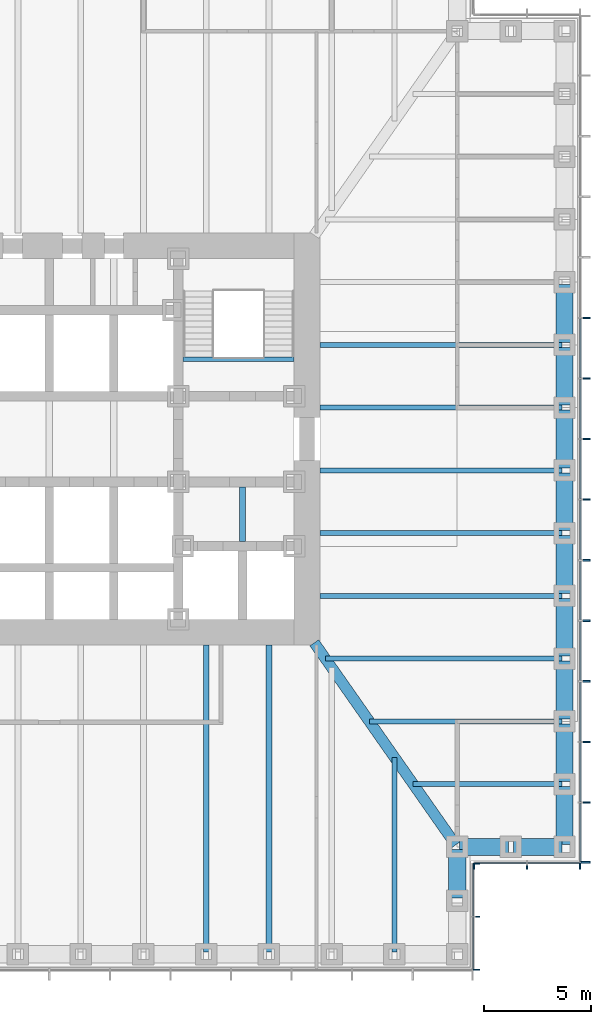
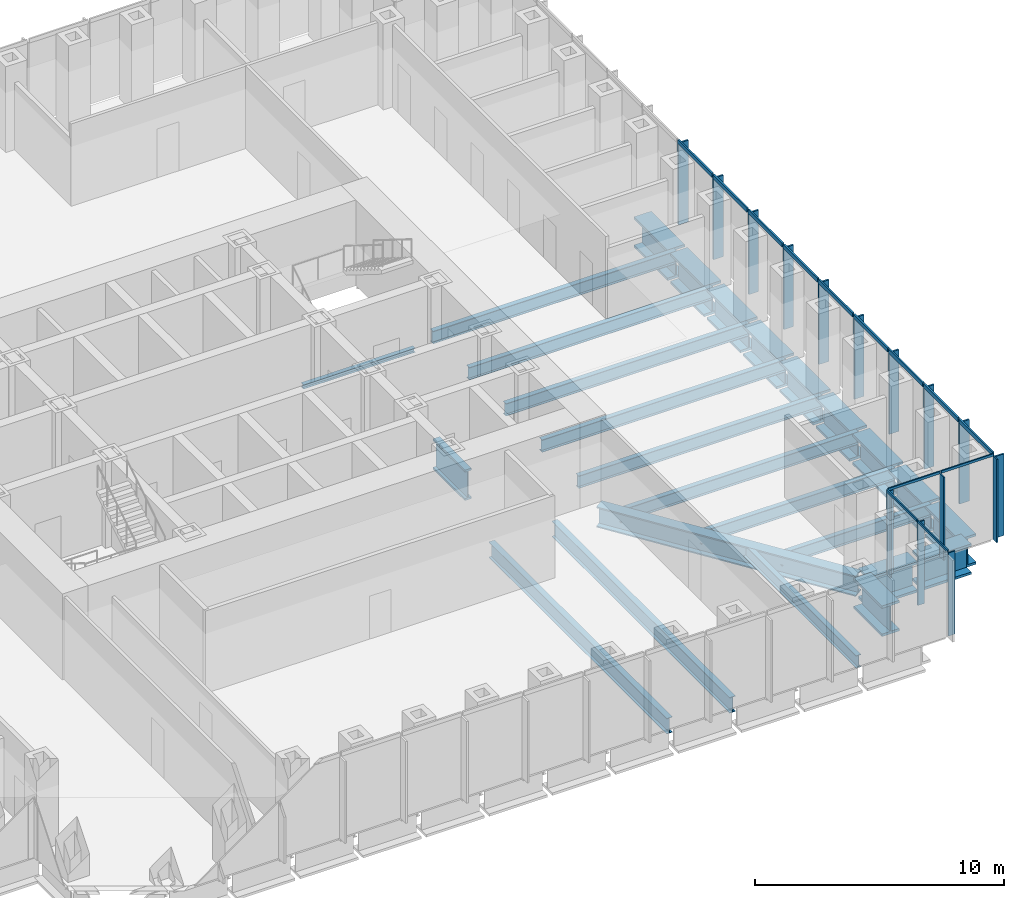
# One storey, part 4 of 16: 29 members, 26 beams, 3 elements without a shape of their own.
"""IFC4 building model written with IfcOpenShell, lengths in metres."""

from ifc_helpers import new_model, si_unit, direction, frame, origin, origin_2d, place, context, subcontext, project, spatial, rectangle, i_section, extrude, material, material_profile, profile_set, type_object, element, aggregate, save


model = new_model("IFC4")

# Units and contexts
model_context = context("Model", 3, precision=1e-05, world=origin(), true_north=direction((0.0, 1.0)))
body_context = subcontext(model_context, "Body", "Model", "MODEL_VIEW")
ifc_project = project(units=[si_unit("LENGTHUNIT", "METRE"), si_unit("AREAUNIT", "SQUARE_METRE"), si_unit("VOLUMEUNIT", "CUBIC_METRE"), si_unit("PLANEANGLEUNIT", "RADIAN"), si_unit("MASSUNIT", "GRAM", prefix="KILO")], contexts=[model_context])

# Site, building, storey
site_placement = place(None, origin())
site = spatial("IfcSite", under=ifc_project, at=site_placement, CompositionType="ELEMENT")
building_placement = place(site_placement, origin())
building = spatial("IfcBuilding", under=site, at=building_placement, Name="Daluyong Arena Tower", CompositionType="ELEMENT")
storey_placement = place(building_placement, frame((0.0, 0.0, 51.699951171875)))
storey = spatial("IfcBuildingStorey", under=building, at=storey_placement, Name="L10", CompositionType="ELEMENT", Elevation=51.699951171875)

# Curtain wall, members
ifc_material_1 = material(Name="Bronze anodised aluminium and glass", Category="aluminium")
curtain_wall_type_1 = type_object("IfcCurtainWallType", Name="Curtain wall CW1", PredefinedType="USERDEFINED", material=ifc_material_1)
curtain_wall_1_placement = place(storey_placement, origin())
curtain_wall_1 = element("IfcCurtainWall", 1, at=curtain_wall_1_placement, inside=storey, type_object=curtain_wall_type_1, Name="curtain wall L10 E", ObjectType="UNITISED CURTAIN WALL", PredefinedType="USERDEFINED")
ifc_material_2 = material(Name="Bronze anodised aluminium fin", Category="aluminium")
ifc_material_profile_1 = material_profile(ifc_material_2, rectangle(XDim=0.449951171875, YDim=0.080078125, at=origin_2d()))
ifc_profile_set_1 = profile_set([ifc_material_profile_1], Name="Bronze anodised aluminium fin")
member_type_1 = type_object("IfcMemberType", Name="CW1 bronze fin 450x80", PredefinedType="MULLION", material=ifc_profile_set_1)
member_1_placement = place(storey_placement, frame((80.97509765625, 60.2900390625, 0.0), z_axis=(0.0, 0.0, 1.0), x_axis=(-1.0, 0.0, 0.0)))
member_1 = element("IfcMember", 2, at=member_1_placement, type_object=member_type_1, Name="curtain wall L10 E fin 1", PredefinedType="MULLION", context=body_context, shape_type="SweptSolid", body=[
    extrude(rectangle(XDim=0.449951171875, YDim=0.080078125, at=origin_2d()), origin(), (0.0, 0.0, 1.0), 4.0),
])
member_2_placement = place(storey_placement, frame((80.97509765625, 63.071533203125, 0.0), z_axis=(0.0, 0.0, 1.0), x_axis=(-1.0, 0.0, 0.0)))
member_2 = element("IfcMember", 3, at=member_2_placement, type_object=member_type_1, Name="curtain wall L10 E fin 2", PredefinedType="MULLION", context=body_context, shape_type="SweptSolid", body=[
    extrude(rectangle(XDim=0.449951171875, YDim=0.080078125, at=origin_2d()), origin(), (0.0, 0.0, 1.0), 4.0),
])
member_3_placement = place(storey_placement, frame((80.97509765625, 65.892822265625, 0.0), z_axis=(0.0, 0.0, 1.0), x_axis=(-1.0, 0.0, 0.0)))
member_3 = element("IfcMember", 4, at=member_3_placement, type_object=member_type_1, Name="curtain wall L10 E fin 3", PredefinedType="MULLION", context=body_context, shape_type="SweptSolid", body=[
    extrude(rectangle(XDim=0.449951171875, YDim=0.080078125, at=origin_2d()), origin(), (0.0, 0.0, 1.0), 4.0),
])
member_4_placement = place(storey_placement, frame((80.97509765625, 68.71435546875, 0.0), z_axis=(0.0, 0.0, 1.0), x_axis=(-1.0, 0.0, 0.0)))
member_4 = element("IfcMember", 5, at=member_4_placement, type_object=member_type_1, Name="curtain wall L10 E fin 4", PredefinedType="MULLION", context=body_context, shape_type="SweptSolid", body=[
    extrude(rectangle(XDim=0.449951171875, YDim=0.080078125, at=origin_2d()), origin(), (0.0, 0.0, 1.0), 4.0),
])
member_5_placement = place(storey_placement, frame((80.97509765625, 71.53564453125, 0.0), z_axis=(0.0, 0.0, 1.0), x_axis=(-1.0, 0.0, 0.0)))
member_5 = element("IfcMember", 6, at=member_5_placement, type_object=member_type_1, Name="curtain wall L10 E fin 5", PredefinedType="MULLION", context=body_context, shape_type="SweptSolid", body=[
    extrude(rectangle(XDim=0.449951171875, YDim=0.080078125, at=origin_2d()), origin(), (0.0, 0.0, 1.0), 4.0),
])
member_6_placement = place(storey_placement, frame((80.97509765625, 74.357177734375, 0.0), z_axis=(0.0, 0.0, 1.0), x_axis=(-1.0, 0.0, 0.0)))
member_6 = element("IfcMember", 7, at=member_6_placement, type_object=member_type_1, Name="curtain wall L10 E fin 6", PredefinedType="MULLION", context=body_context, shape_type="SweptSolid", body=[
    extrude(rectangle(XDim=0.449951171875, YDim=0.080078125, at=origin_2d()), origin(), (0.0, 0.0, 1.0), 4.0),
])
member_7_placement = place(storey_placement, frame((80.97509765625, 77.178466796875, 0.0), z_axis=(0.0, 0.0, 1.0), x_axis=(-1.0, 0.0, 0.0)))
member_7 = element("IfcMember", 8, at=member_7_placement, type_object=member_type_1, Name="curtain wall L10 E fin 7", PredefinedType="MULLION", context=body_context, shape_type="SweptSolid", body=[
    extrude(rectangle(XDim=0.449951171875, YDim=0.080078125, at=origin_2d()), origin(), (0.0, 0.0, 1.0), 4.0),
])
member_8_placement = place(storey_placement, frame((80.97509765625, 80.0, 0.0), z_axis=(0.0, 0.0, 1.0), x_axis=(-1.0, 0.0, 0.0)))
member_8 = element("IfcMember", 9, at=member_8_placement, type_object=member_type_1, Name="curtain wall L10 E fin 8", PredefinedType="MULLION", context=body_context, shape_type="SweptSolid", body=[
    extrude(rectangle(XDim=0.449951171875, YDim=0.080078125, at=origin_2d()), origin(), (0.0, 0.0, 1.0), 4.0),
])
member_9_placement = place(storey_placement, frame((80.97509765625, 82.821533203125, 0.0), z_axis=(0.0, 0.0, 1.0), x_axis=(-1.0, 0.0, 0.0)))
member_9 = element("IfcMember", 10, at=member_9_placement, type_object=member_type_1, Name="curtain wall L10 E fin 9", PredefinedType="MULLION", context=body_context, shape_type="SweptSolid", body=[
    extrude(rectangle(XDim=0.449951171875, YDim=0.080078125, at=origin_2d()), origin(), (0.0, 0.0, 1.0), 4.0),
])
member_10_placement = place(storey_placement, frame((80.97509765625, 85.642822265625, 0.0), z_axis=(0.0, 0.0, 1.0), x_axis=(-1.0, 0.0, 0.0)))
member_10 = element("IfcMember", 11, at=member_10_placement, type_object=member_type_1, Name="curtain wall L10 E fin 10", PredefinedType="MULLION", context=body_context, shape_type="SweptSolid", body=[
    extrude(rectangle(XDim=0.449951171875, YDim=0.080078125, at=origin_2d()), origin(), (0.0, 0.0, 1.0), 4.0),
])
ifc_material_3 = material(Name="Bronze anodised aluminium", Category="aluminium")
ifc_material_profile_2 = material_profile(ifc_material_3, rectangle(XDim=0.080078125, YDim=0.199951171875, at=origin_2d()))
ifc_profile_set_2 = profile_set([ifc_material_profile_2], Name="Bronze anodised aluminium")
member_type_2 = type_object("IfcMemberType", Name="CW1 stack transom 200x80", PredefinedType="USERDEFINED", material=ifc_profile_set_2)
member_11_placement = place(storey_placement, frame((80.75, 60.330078125, 4.10009765625), z_axis=(0.0, 1.0, 0.0), x_axis=(-1.0, 0.0, 0.0)))
member_11 = element("IfcMember", 12, at=member_11_placement, type_object=member_type_2, Name="curtain wall L10 E transom 1", ObjectType="TRANSOM", PredefinedType="USERDEFINED", context=body_context, shape_type="SweptSolid", body=[
    extrude(rectangle(XDim=0.080078125, YDim=0.199951171875, at=origin_2d()), origin(), (0.0, 0.0, 1.0), 2.701416015625),
])
member_12_placement = place(storey_placement, frame((80.75, 63.111328125, 4.10009765625), z_axis=(0.0, 1.0, 0.0), x_axis=(-1.0, 0.0, 0.0)))
member_12 = element("IfcMember", 13, at=member_12_placement, type_object=member_type_2, Name="curtain wall L10 E transom 2", ObjectType="TRANSOM", PredefinedType="USERDEFINED", context=body_context, shape_type="SweptSolid", body=[
    extrude(rectangle(XDim=0.080078125, YDim=0.199951171875, at=origin_2d()), origin(), (0.0, 0.0, 1.0), 2.741455078125),
])
member_13_placement = place(storey_placement, frame((80.75, 65.932861328125, 4.10009765625), z_axis=(0.0, 1.0, 0.0), x_axis=(-1.0, 0.0, 0.0)))
member_13 = element("IfcMember", 14, at=member_13_placement, type_object=member_type_2, Name="curtain wall L10 E transom 3", ObjectType="TRANSOM", PredefinedType="USERDEFINED", context=body_context, shape_type="SweptSolid", body=[
    extrude(rectangle(XDim=0.080078125, YDim=0.199951171875, at=origin_2d()), origin(), (0.0, 0.0, 1.0), 2.741455078125),
])
member_14_placement = place(storey_placement, frame((80.75, 68.75439453125, 4.10009765625), z_axis=(0.0, 1.0, 0.0), x_axis=(-1.0, 0.0, 0.0)))
member_14 = element("IfcMember", 15, at=member_14_placement, type_object=member_type_2, Name="curtain wall L10 E transom 4", ObjectType="TRANSOM", PredefinedType="USERDEFINED", context=body_context, shape_type="SweptSolid", body=[
    extrude(rectangle(XDim=0.080078125, YDim=0.199951171875, at=origin_2d()), origin(), (0.0, 0.0, 1.0), 2.7412109375),
])
member_15_placement = place(storey_placement, frame((80.75, 71.57568359375, 4.10009765625), z_axis=(0.0, 1.0, 0.0), x_axis=(-1.0, 0.0, 0.0)))
member_15 = element("IfcMember", 16, at=member_15_placement, type_object=member_type_2, Name="curtain wall L10 E transom 5", ObjectType="TRANSOM", PredefinedType="USERDEFINED", context=body_context, shape_type="SweptSolid", body=[
    extrude(rectangle(XDim=0.080078125, YDim=0.199951171875, at=origin_2d()), origin(), (0.0, 0.0, 1.0), 2.741455078125),
])
member_16_placement = place(storey_placement, frame((80.75, 74.397216796875, 4.10009765625), z_axis=(0.0, 1.0, 0.0), x_axis=(-1.0, 0.0, 0.0)))
member_16 = element("IfcMember", 17, at=member_16_placement, type_object=member_type_2, Name="curtain wall L10 E transom 6", ObjectType="TRANSOM", PredefinedType="USERDEFINED", context=body_context, shape_type="SweptSolid", body=[
    extrude(rectangle(XDim=0.080078125, YDim=0.199951171875, at=origin_2d()), origin(), (0.0, 0.0, 1.0), 2.741455078125),
])
member_17_placement = place(storey_placement, frame((80.75, 77.218505859375, 4.10009765625), z_axis=(0.0, 1.0, 0.0), x_axis=(-1.0, 0.0, 0.0)))
member_17 = element("IfcMember", 18, at=member_17_placement, type_object=member_type_2, Name="curtain wall L10 E transom 7", ObjectType="TRANSOM", PredefinedType="USERDEFINED", context=body_context, shape_type="SweptSolid", body=[
    extrude(rectangle(XDim=0.080078125, YDim=0.199951171875, at=origin_2d()), origin(), (0.0, 0.0, 1.0), 2.741455078125),
])
member_18_placement = place(storey_placement, frame((80.75, 80.0400390625, 4.10009765625), z_axis=(0.0, 1.0, 0.0), x_axis=(-1.0, 0.0, 0.0)))
member_18 = element("IfcMember", 19, at=member_18_placement, type_object=member_type_2, Name="curtain wall L10 E transom 8", ObjectType="TRANSOM", PredefinedType="USERDEFINED", context=body_context, shape_type="SweptSolid", body=[
    extrude(rectangle(XDim=0.080078125, YDim=0.199951171875, at=origin_2d()), origin(), (0.0, 0.0, 1.0), 2.741455078125),
])
member_19_placement = place(storey_placement, frame((80.75, 82.861328125, 4.10009765625), z_axis=(0.0, 1.0, 0.0), x_axis=(-1.0, 0.0, 0.0)))
member_19 = element("IfcMember", 20, at=member_19_placement, type_object=member_type_2, Name="curtain wall L10 E transom 9", ObjectType="TRANSOM", PredefinedType="USERDEFINED", context=body_context, shape_type="SweptSolid", body=[
    extrude(rectangle(XDim=0.080078125, YDim=0.199951171875, at=origin_2d()), origin(), (0.0, 0.0, 1.0), 2.741455078125),
])
aggregate(curtain_wall_1, [member_1, member_2, member_3, member_4, member_5, member_6, member_7, member_8, member_9, member_10, member_11, member_12, member_13, member_14, member_15, member_16, member_17, member_18, member_19])

ifc_material_4 = material(Name="Bronze anodised aluminium and glass", Category="aluminium")
curtain_wall_type_2 = type_object("IfcCurtainWallType", Name="Curtain wall CW7", PredefinedType="USERDEFINED", material=ifc_material_4)
curtain_wall_2_placement = place(storey_placement, origin())
curtain_wall_2 = element("IfcCurtainWall", 21, at=curtain_wall_2_placement, inside=storey, type_object=curtain_wall_type_2, Name="curtain wall L10 SE-E", ObjectType="UNITISED CURTAIN WALL", PredefinedType="USERDEFINED")
ifc_material_5 = material(Name="Bronze anodised aluminium fin", Category="aluminium")
ifc_material_profile_3 = material_profile(ifc_material_5, rectangle(XDim=0.300048828125, YDim=0.06005859375, at=origin_2d()))
ifc_profile_set_3 = profile_set([ifc_material_profile_3], Name="Bronze anodised aluminium fin")
member_type_3 = type_object("IfcMemberType", Name="CW7 bronze fin 300x60", PredefinedType="MULLION", material=ifc_profile_set_3)
member_20_placement = place(storey_placement, frame((75.89990234375, 55.280029296875, 0.0), z_axis=(0.0, 0.0, 1.0), x_axis=(-1.0, 0.0, 0.0)))
member_20 = element("IfcMember", 22, at=member_20_placement, type_object=member_type_3, Name="curtain wall L10 SE-E fin 1", PredefinedType="MULLION", context=body_context, shape_type="SweptSolid", body=[
    extrude(rectangle(XDim=0.300048828125, YDim=0.06005859375, at=origin_2d()), origin(), (0.0, 0.0, 1.0), 4.080078125),
])
member_21_placement = place(storey_placement, frame((75.89990234375, 57.75, 0.0), z_axis=(0.0, 0.0, 1.0), x_axis=(-1.0, 0.0, 0.0)))
member_21 = element("IfcMember", 23, at=member_21_placement, type_object=member_type_3, Name="curtain wall L10 SE-E fin 2", PredefinedType="MULLION", context=body_context, shape_type="SweptSolid", body=[
    extrude(rectangle(XDim=0.300048828125, YDim=0.06005859375, at=origin_2d()), origin(), (0.0, 0.0, 1.0), 4.080078125),
])
member_22_placement = place(storey_placement, frame((75.89990234375, 60.219970703125, 0.0), z_axis=(0.0, 0.0, 1.0), x_axis=(-1.0, 0.0, 0.0)))
member_22 = element("IfcMember", 24, at=member_22_placement, type_object=member_type_3, Name="curtain wall L10 SE-E fin 3", PredefinedType="MULLION", context=body_context, shape_type="SweptSolid", body=[
    extrude(rectangle(XDim=0.300048828125, YDim=0.06005859375, at=origin_2d()), origin(), (0.0, 0.0, 1.0), 4.080078125),
])

curtain_wall_3_placement = place(storey_placement, origin())
curtain_wall_3 = element("IfcCurtainWall", 25, at=curtain_wall_3_placement, inside=storey, type_object=curtain_wall_type_2, Name="curtain wall L10 SE-S", ObjectType="UNITISED CURTAIN WALL", PredefinedType="USERDEFINED")
member_23_placement = place(storey_placement, frame((75.780029296875, 60.10009765625, 0.0), z_axis=(0.0, 0.0, 1.0), x_axis=(0.0, 1.0, 0.0)))
member_23 = element("IfcMember", 26, at=member_23_placement, type_object=member_type_3, Name="curtain wall L10 SE-S fin 1", PredefinedType="MULLION", context=body_context, shape_type="SweptSolid", body=[
    extrude(rectangle(XDim=0.300048828125, YDim=0.06005859375, at=origin_2d()), origin(), (0.0, 0.0, 1.0), 4.080078125),
])
member_24_placement = place(storey_placement, frame((78.25, 60.10009765625, 0.0), z_axis=(0.0, 0.0, 1.0), x_axis=(0.0, 1.0, 0.0)))
member_24 = element("IfcMember", 27, at=member_24_placement, type_object=member_type_3, Name="curtain wall L10 SE-S fin 2", PredefinedType="MULLION", context=body_context, shape_type="SweptSolid", body=[
    extrude(rectangle(XDim=0.300048828125, YDim=0.06005859375, at=origin_2d()), origin(), (0.0, 0.0, 1.0), 4.080078125),
])
member_25_placement = place(storey_placement, frame((80.719970703125, 60.10009765625, 0.0), z_axis=(0.0, 0.0, 1.0), x_axis=(0.0, 1.0, 0.0)))
member_25 = element("IfcMember", 28, at=member_25_placement, type_object=member_type_3, Name="curtain wall L10 SE-S fin 3", PredefinedType="MULLION", context=body_context, shape_type="SweptSolid", body=[
    extrude(rectangle(XDim=0.300048828125, YDim=0.06005859375, at=origin_2d()), origin(), (0.0, 0.0, 1.0), 4.080078125),
])

# Member
ifc_material_6 = material(Name="Bronze anodised aluminium", Category="aluminium")
ifc_material_profile_4 = material_profile(ifc_material_6, rectangle(XDim=0.06005859375, YDim=0.1201171875, at=origin_2d()))
ifc_profile_set_4 = profile_set([ifc_material_profile_4], Name="Bronze anodised aluminium")
member_type_4 = type_object("IfcMemberType", Name="CW7 stack transom 120x60", PredefinedType="USERDEFINED", material=ifc_profile_set_4)
member_26_placement = place(storey_placement, frame((75.75, 55.31005859375, 4.14013671875), z_axis=(0.0, 1.0, 0.0), x_axis=(-1.0, 0.0, 0.0)))
member_26 = element("IfcMember", 29, at=member_26_placement, type_object=member_type_4, Name="curtain wall L10 SE-E transom 1", ObjectType="TRANSOM", PredefinedType="USERDEFINED", context=body_context, shape_type="SweptSolid", body=[
    extrude(rectangle(XDim=0.06005859375, YDim=0.1201171875, at=origin_2d()), origin(), (0.0, 0.0, 1.0), 2.409912109375),
])

member_27_placement = place(storey_placement, frame((75.75, 57.780029296875, 4.14013671875), z_axis=(0.0, 1.0, 0.0), x_axis=(-1.0, 0.0, 0.0)))
member_27 = element("IfcMember", 30, at=member_27_placement, type_object=member_type_4, Name="curtain wall L10 SE-E transom 2", ObjectType="TRANSOM", PredefinedType="USERDEFINED", context=body_context, shape_type="SweptSolid", body=[
    extrude(rectangle(XDim=0.06005859375, YDim=0.1201171875, at=origin_2d()), origin(), (0.0, 0.0, 1.0), 2.409912109375),
])

aggregate(curtain_wall_2, [member_20, member_21, member_22, member_26, member_27])

member_28_placement = place(storey_placement, frame((75.81005859375, 60.25, 4.14013671875), z_axis=(1.0, 0.0, 0.0), x_axis=(0.0, 1.0, 0.0)))
member_28 = element("IfcMember", 31, at=member_28_placement, type_object=member_type_4, Name="curtain wall L10 SE-S transom 1", ObjectType="TRANSOM", PredefinedType="USERDEFINED", context=body_context, shape_type="SweptSolid", body=[
    extrude(rectangle(XDim=0.06005859375, YDim=0.1201171875, at=origin_2d()), origin(), (0.0, 0.0, 1.0), 2.409912109375),
])

member_29_placement = place(storey_placement, frame((78.280029296875, 60.25, 4.14013671875), z_axis=(1.0, 0.0, 0.0), x_axis=(0.0, 1.0, 0.0)))
member_29 = element("IfcMember", 32, at=member_29_placement, type_object=member_type_4, Name="curtain wall L10 SE-S transom 2", ObjectType="TRANSOM", PredefinedType="USERDEFINED", context=body_context, shape_type="SweptSolid", body=[
    extrude(rectangle(XDim=0.06005859375, YDim=0.1201171875, at=origin_2d()), origin(), (0.0, 0.0, 1.0), 2.409912109375),
])

aggregate(curtain_wall_3, [member_23, member_24, member_25, member_28, member_29])

# Beams
ifc_material_7 = material(Name="Steel ASTM A572 Grade 50", Category="steel")
ifc_material_profile_5 = material_profile(ifc_material_7, i_section(OverallWidth=0.5, OverallDepth=1.0, WebThickness=0.03, FlangeThickness=0.06, at=origin_2d()))
ifc_profile_set_5 = profile_set([ifc_material_profile_5], Name="Steel ASTM A572 Grade 50")
beam_type_1 = type_object("IfcBeamType", Name="Corner girder TB1000X500", PredefinedType="BEAM", material=ifc_profile_set_5)
beam_1_placement = place(storey_placement, frame((74.93408203125, 61.09423828125, -0.659912109375), z_axis=(-0.573466621875, 0.819228926244, 0.0), x_axis=(-0.819228926244, -0.573466621875, 0.0)))
element("IfcBeam", 33, at=beam_1_placement, inside=storey, type_object=beam_type_1, Name="corner girder DG2", PredefinedType="BEAM", context=body_context, shape_type="SweptSolid", body=[
    extrude(i_section(OverallWidth=0.5, OverallDepth=1.0, WebThickness=0.03, FlangeThickness=0.06, at=origin_2d()), origin(), (0.0, 0.0, 1.0), 11.49169921875),
])
ifc_material_8 = material(Name="Steel ASTM A992 Grade 50", Category="steel")
ifc_material_profile_6 = material_profile(ifc_material_8, i_section(OverallWidth=0.22900390625, OverallDepth=0.612060546875, WebThickness=0.011962890625, FlangeThickness=0.01953125, at=origin_2d()))
ifc_profile_set_6 = profile_set([ifc_material_profile_6], Name="Steel ASTM A992 Grade 50")
beam_type_2 = type_object("IfcBeamType", Name="Floor beam W24X84", PredefinedType="BEAM", material=ifc_profile_set_6)
beam_2_placement = place(storey_placement, frame((72.076904296875, 56.114990234375, -0.466064453125), z_axis=(0.0, 1.0, 0.0), x_axis=(-1.0, 0.0, 0.0)))
element("IfcBeam", 34, at=beam_2_placement, inside=storey, type_object=beam_type_2, Name="floor beam FB3", PredefinedType="BEAM", context=body_context, shape_type="SweptSolid", body=[
    extrude(i_section(OverallWidth=0.22900390625, OverallDepth=0.612060546875, WebThickness=0.011962890625, FlangeThickness=0.01953125, at=origin_2d()), origin(), (0.0, 0.0, 1.0), 9.060791015625),
])
beam_3_placement = place(storey_placement, frame((79.885009765625, 63.923095703125, -0.466064453125), z_axis=(-1.0, 0.0, 0.0), x_axis=(0.0, -1.0, 0.0)))
element("IfcBeam", 35, at=beam_3_placement, inside=storey, type_object=beam_type_2, Name="floor beam FB3", PredefinedType="BEAM", context=body_context, shape_type="SweptSolid", body=[
    extrude(i_section(OverallWidth=0.22900390625, OverallDepth=0.612060546875, WebThickness=0.011962890625, FlangeThickness=0.01953125, at=origin_2d()), origin(), (0.0, 0.0, 1.0), 6.93115234375),
])
beam_4_placement = place(storey_placement, frame((79.885009765625, 66.84619140625, -0.466064453125), z_axis=(-1.0, 0.0, 0.0), x_axis=(0.0, -1.0, 0.0)))
element("IfcBeam", 36, at=beam_4_placement, inside=storey, type_object=beam_type_2, Name="floor beam FB3", PredefinedType="BEAM", context=body_context, shape_type="SweptSolid", body=[
    extrude(i_section(OverallWidth=0.22900390625, OverallDepth=0.612060546875, WebThickness=0.011962890625, FlangeThickness=0.01953125, at=origin_2d()), origin(), (0.0, 0.0, 1.0), 8.977294921875),
])
beam_5_placement = place(storey_placement, frame((79.885009765625, 69.769287109375, -0.466064453125), z_axis=(-1.0, 0.0, 0.0), x_axis=(0.0, -1.0, 0.0)))
element("IfcBeam", 37, at=beam_5_placement, inside=storey, type_object=beam_type_2, Name="floor beam FB3", PredefinedType="BEAM", context=body_context, shape_type="SweptSolid", body=[
    extrude(i_section(OverallWidth=0.22900390625, OverallDepth=0.612060546875, WebThickness=0.011962890625, FlangeThickness=0.01953125, at=origin_2d()), origin(), (0.0, 0.0, 1.0), 11.0234375),
])
for number, where, z_axis, x_axis, name in (
    (38, (79.885009765625, 72.6923828125, -0.466064453125), (-1.0, 0.0, 0.0), (0.0, -1.0, 0.0), "floor beam FB3"),
    (39, (79.885009765625, 75.615478515625, -0.466064453125), (-1.0, 0.0, 0.0), (0.0, -1.0, 0.0), "floor beam FB3"),
    (40, (79.885009765625, 78.53857421875, -0.466064453125), (-1.0, 0.0, 0.0), (0.0, -1.0, 0.0), "floor beam FB3"),
    (41, (79.885009765625, 81.46142578125, -0.466064453125), (-1.0, 0.0, 0.0), (0.0, -1.0, 0.0), "floor beam FB3"),
    (42, (79.885009765625, 84.384521484375, -0.466064453125), (-1.0, 0.0, 0.0), (0.0, -1.0, 0.0), "floor beam FB3"),
):
    element("IfcBeam", number, at=place(storey_placement, frame(where, z_axis=z_axis, x_axis=x_axis)), inside=storey, type_object=beam_type_2, Name=name, PredefinedType="BEAM", context=body_context, shape_type="SweptSolid", body=[
        extrude(i_section(OverallWidth=0.22900390625, OverallDepth=0.612060546875, WebThickness=0.011962890625, FlangeThickness=0.01953125, at=origin_2d()), origin(), (0.0, 0.0, 1.0), 11.284912109375),
    ])
ifc_material_9 = material(Name="Steel ASTM A992 Grade 50", Category="steel")
ifc_material_profile_7 = material_profile(ifc_material_9, i_section(OverallWidth=0.2666015625, OverallDepth=0.761962890625, WebThickness=0.014404296875, FlangeThickness=0.021484375, at=origin_2d()))
ifc_profile_set_7 = profile_set([ifc_material_profile_7], Name="Steel ASTM A992 Grade 50")
beam_type_3 = type_object("IfcBeamType", Name="Floor beam W30X116", PredefinedType="BEAM", material=ifc_profile_set_7)
for number, where, z_axis, x_axis, name in (
    (43, (63.3076171875, 56.114990234375, -0.541015625), (0.0, 1.0, 0.0), (-1.0, 0.0, 0.0), "floor beam FB4"),
    (44, (66.230712890625, 56.114990234375, -0.541015625), (0.0, 1.0, 0.0), (-1.0, 0.0, 0.0), "floor beam FB4"),
):
    element("IfcBeam", number, at=place(storey_placement, frame(where, z_axis=z_axis, x_axis=x_axis)), inside=storey, type_object=beam_type_3, Name=name, PredefinedType="BEAM", context=body_context, shape_type="SweptSolid", body=[
        extrude(i_section(OverallWidth=0.2666015625, OverallDepth=0.761962890625, WebThickness=0.014404296875, FlangeThickness=0.021484375, at=origin_2d()), origin(), (0.0, 0.0, 1.0), 14.284912109375),
    ])
ifc_material_10 = material(Name="Steel ASTM A572 Grade 50", Category="steel")
ifc_material_profile_8 = material_profile(ifc_material_10, i_section(OverallWidth=0.300048828125, OverallDepth=1.5, WebThickness=0.04, FlangeThickness=0.1, at=origin_2d()))
ifc_profile_set_8 = profile_set([ifc_material_profile_8], Name="Steel ASTM A572 Grade 50")
beam_type_4 = type_object("IfcBeamType", Name="Lift divider beam PG1500X300", PredefinedType="BEAM", material=ifc_profile_set_8)
beam_6_placement = place(storey_placement, frame((65.0, 75.22509765625, -0.909912109375), z_axis=(0.0, 1.0, 0.0), x_axis=(-1.0, 0.0, 0.0)))
element("IfcBeam", 45, at=beam_6_placement, inside=storey, type_object=beam_type_4, Name="lift divider beam DB2", PredefinedType="BEAM", context=body_context, shape_type="SweptSolid", body=[
    extrude(i_section(OverallWidth=0.300048828125, OverallDepth=1.5, WebThickness=0.04, FlangeThickness=0.1, at=origin_2d()), origin(), (0.0, 0.0, 1.0), 2.5498046875),
])
ifc_material_11 = material(Name="Steel ASTM A588 Grade 50", Category="steel")
ifc_material_profile_9 = material_profile(ifc_material_11, i_section(OverallWidth=0.800048828125, OverallDepth=1.5, WebThickness=0.05, FlangeThickness=0.12, at=origin_2d()))
ifc_profile_set_9 = profile_set([ifc_material_profile_9], Name="Steel ASTM A588 Grade 50")
beam_type_5 = type_object("IfcBeamType", Name="Spandrel Z1 PG1500X800", PredefinedType="SPANDREL", material=ifc_profile_set_9)
for number, where, z_axis, x_axis, name in (
    (46, (75.0, 58.614990234375, -0.909912109375), (0.0, 1.0, 0.0), (-1.0, 0.0, 0.0), "spandrel z1 SB3"),
    (47, (75.114990234375, 61.0, -0.909912109375), (1.0, 0.0, 0.0), (0.0, 1.0, 0.0), "spandrel z1 SB3"),
    (48, (77.614990234375, 61.0, -0.909912109375), (1.0, 0.0, 0.0), (0.0, 1.0, 0.0), "spandrel z1 SB3"),
):
    element("IfcBeam", number, at=place(storey_placement, frame(where, z_axis=z_axis, x_axis=x_axis)), inside=storey, type_object=beam_type_5, Name=name, PredefinedType="SPANDREL", context=body_context, shape_type="SweptSolid", body=[
        extrude(i_section(OverallWidth=0.800048828125, OverallDepth=1.5, WebThickness=0.05, FlangeThickness=0.12, at=origin_2d()), origin(), (0.0, 0.0, 1.0), 2.27001953125),
    ])
for number, where, z_axis, x_axis, name in (
    (49, (80.0, 61.114990234375, -0.909912109375), (0.0, 1.0, 0.0), (-1.0, 0.0, 0.0), "spandrel z1 SB3"),
    (50, (80.0, 64.0380859375, -0.909912109375), (0.0, 1.0, 0.0), (-1.0, 0.0, 0.0), "spandrel z1 SB3"),
    (51, (80.0, 66.961181640625, -0.909912109375), (0.0, 1.0, 0.0), (-1.0, 0.0, 0.0), "spandrel z1 SB3"),
    (52, (80.0, 69.88427734375, -0.909912109375), (0.0, 1.0, 0.0), (-1.0, 0.0, 0.0), "spandrel z1 SB3"),
    (53, (80.0, 72.807373046875, -0.909912109375), (0.0, 1.0, 0.0), (-1.0, 0.0, 0.0), "spandrel z1 SB3"),
    (54, (80.0, 75.73046875, -0.909912109375), (0.0, 1.0, 0.0), (-1.0, 0.0, 0.0), "spandrel z1 SB3"),
):
    element("IfcBeam", number, at=place(storey_placement, frame(where, z_axis=z_axis, x_axis=x_axis)), inside=storey, type_object=beam_type_5, Name=name, PredefinedType="SPANDREL", context=body_context, shape_type="SweptSolid", body=[
        extrude(i_section(OverallWidth=0.800048828125, OverallDepth=1.5, WebThickness=0.05, FlangeThickness=0.12, at=origin_2d()), origin(), (0.0, 0.0, 1.0), 2.693115234375),
    ])
beam_7_placement = place(storey_placement, frame((80.0, 78.653564453125, -0.909912109375), z_axis=(0.0, 1.0, 0.0), x_axis=(-1.0, 0.0, 0.0)))
element("IfcBeam", 55, at=beam_7_placement, inside=storey, type_object=beam_type_5, Name="spandrel z1 SB3", PredefinedType="SPANDREL", context=body_context, shape_type="SweptSolid", body=[
    extrude(i_section(OverallWidth=0.800048828125, OverallDepth=1.5, WebThickness=0.05, FlangeThickness=0.12, at=origin_2d()), origin(), (0.0, 0.0, 1.0), 2.69287109375),
])
for number, where, z_axis, x_axis, name in (
    (56, (80.0, 81.576416015625, -0.909912109375), (0.0, 1.0, 0.0), (-1.0, 0.0, 0.0), "spandrel z1 SB3"),
    (57, (80.0, 84.49951171875, -0.909912109375), (0.0, 1.0, 0.0), (-1.0, 0.0, 0.0), "spandrel z1 SB3"),
):
    element("IfcBeam", number, at=place(storey_placement, frame(where, z_axis=z_axis, x_axis=x_axis)), inside=storey, type_object=beam_type_5, Name=name, PredefinedType="SPANDREL", context=body_context, shape_type="SweptSolid", body=[
        extrude(i_section(OverallWidth=0.800048828125, OverallDepth=1.5, WebThickness=0.05, FlangeThickness=0.12, at=origin_2d()), origin(), (0.0, 0.0, 1.0), 2.693115234375),
    ])
ifc_material_12 = material(Name="Steel ASTM A992 Grade 50", Category="steel")
ifc_material_profile_10 = material_profile(ifc_material_12, i_section(OverallWidth=0.203125, OverallDepth=0.203125, WebThickness=0.00732421875, FlangeThickness=0.010986328125, at=origin_2d()))
ifc_profile_set_10 = profile_set([ifc_material_profile_10], Name="Steel ASTM A992 Grade 50")
beam_type_6 = type_object("IfcBeamType", Name="Stair landing beam W8X31", PredefinedType="BEAM", material=ifc_profile_set_10)
beam_8_placement = place(storey_placement, frame((62.22509765625, 83.723388671875, -0.261474609375), z_axis=(1.0, 0.0, 0.0), x_axis=(0.0, 1.0, 0.0)))
element("IfcBeam", 58, at=beam_8_placement, inside=storey, type_object=beam_type_6, Name="exit stair B landing beam", PredefinedType="BEAM", context=body_context, shape_type="SweptSolid", body=[
    extrude(i_section(OverallWidth=0.203125, OverallDepth=0.203125, WebThickness=0.00732421875, FlangeThickness=0.010986328125, at=origin_2d()), origin(), (0.0, 0.0, 1.0), 5.1748046875),
])

save(model, "model.ifc")
